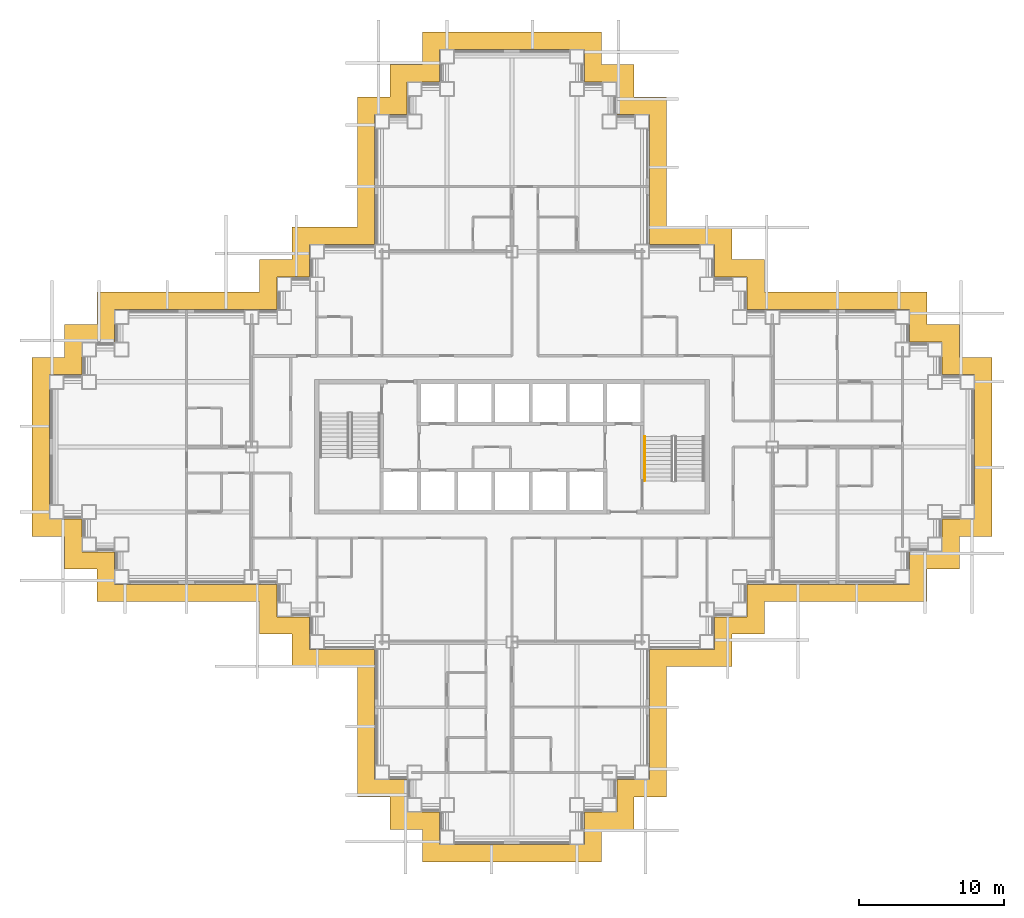
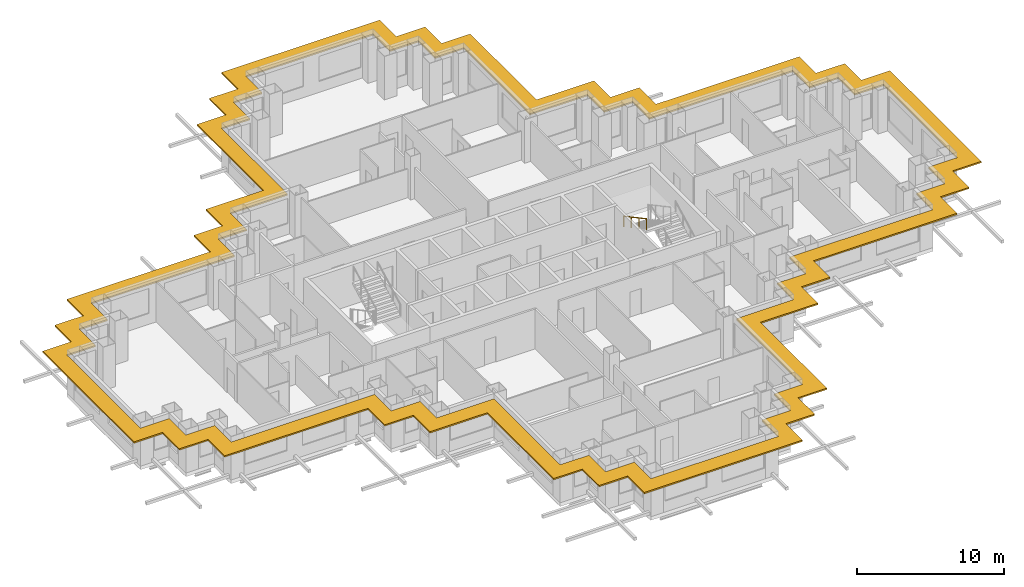
# One storey, part 14 of 15: 1 railing, 1 shading device.
"""IFC4 building model written with IfcOpenShell, lengths in metres."""

from ifc_helpers import new_model, si_unit, direction, frame, origin, origin_2d, place, context, subcontext, project, spatial, polyline, circle, outline, extrude, material, layer, layer_set, type_object, element, save


model = new_model("IFC4")

# Units and contexts
model_context = context("Model", 3, precision=1e-05, world=origin(), true_north=direction((0.0, 1.0)))
body_context = subcontext(model_context, "Body", "Model", "MODEL_VIEW")
ifc_project = project(units=[si_unit("LENGTHUNIT", "METRE"), si_unit("AREAUNIT", "SQUARE_METRE"), si_unit("VOLUMEUNIT", "CUBIC_METRE"), si_unit("PLANEANGLEUNIT", "RADIAN"), si_unit("MASSUNIT", "GRAM", prefix="KILO")], contexts=[model_context])

# Site, building, storey
site_placement = place(None, origin())
site = spatial("IfcSite", under=ifc_project, at=site_placement, CompositionType="ELEMENT")
building_placement = place(site_placement, origin())
building = spatial("IfcBuilding", under=site, at=building_placement, Name="Caravel Reach Hotel and Residences", CompositionType="ELEMENT")
storey_placement = place(building_placement, frame((0.0, 0.0, 60.0)))
storey = spatial("IfcBuildingStorey", under=building, at=storey_placement, Name="L13", CompositionType="ELEMENT", Elevation=60.0)

# Railing
ifc_material_1 = material(Name="Stainless steel handrail", Category="steel")
railing_type = type_object("IfcRailingType", Name="Handrail 900", PredefinedType="HANDRAIL", material=ifc_material_1)
railing_placement = place(storey_placement, frame((40.675048828125, 27.72998046875, 1.949951171875)))
element("IfcRailing", 1, at=railing_placement, inside=storey, type_object=railing_type, Name="L13 ST-B stair handrail 2", PredefinedType="HANDRAIL", context=body_context, shape_type="SweptSolid", body=[
    extrude(circle(Radius=0.02392578125, at=origin_2d()), frame((0.0, 0.0, 0.8759765625), z_axis=(0.0, -0.881467505477, 0.472244678941), x_axis=(1.0, 0.0, 0.0)), (0.0, 0.0, 1.0), 3.494140625),
    extrude(circle(Radius=0.02099609375, at=origin_2d()), origin(), (0.0, 0.0, 1.0), 0.851806640625),
    extrude(circle(Radius=0.02099609375, at=origin_2d()), frame((0.0, -1.026611328125, 0.550048828125)), (0.0, 0.0, 1.0), 0.851806640625),
    extrude(circle(Radius=0.02099609375, at=origin_2d()), frame((0.0, -2.053466796875, 1.10009765625)), (0.0, 0.0, 1.0), 0.851806640625),
    extrude(circle(Radius=0.02099609375, at=origin_2d()), frame((0.0, -3.080078125, 1.650146484375)), (0.0, 0.0, 1.0), 0.851806640625),
])

# Shading device
ifc_material_2 = material(Name="Black powder-coated aluminium", Category="aluminium")
ifc_layer = layer(ifc_material_2, 0.1201171875)
ifc_layer_set = layer_set([ifc_layer], Name="SS1 Sunshade band 1200")
shading_device_type = type_object("IfcShadingDeviceType", Name="SS1 Sunshade band 1200", PredefinedType="USERDEFINED", material=ifc_layer_set)
shading_device_placement = place(storey_placement, frame((0.0, 0.0, 3.0400390625)))
element("IfcShadingDevice", 2, at=shading_device_placement, inside=storey, type_object=shading_device_type, Name="Sunshade L13 1", ObjectType="SUNSHADE", PredefinedType="USERDEFINED", context=body_context, shape_type="SweptSolid", body=[
    extrude(outline(polyline([(20.800048828125, 11.800048828125), (20.800048828125, 2.800048828125), (23.050048828125, 2.800048828125), (23.050048828125, 0.550048828125), (25.300048828125, 0.550048828125), (25.300048828125, -1.699951171875), (37.699951171875, -1.699951171875), (37.699951171875, 0.550048828125), (39.949951171875, 0.550048828125), (39.949951171875, 2.800048828125), (42.199951171875, 2.800048828125), (42.199951171875, 11.800048828125), (46.699951171875, 11.800048828125), (46.699951171875, 14.050048828125), (48.949951171875, 14.050048828125), (48.949951171875, 16.300048828125), (60.199951171875, 16.300048828125), (60.199951171875, 18.550048828125), (62.449951171875, 18.550048828125), (62.449951171875, 20.800048828125), (64.699951171875, 20.800048828125), (64.699951171875, 33.199951171875), (62.449951171875, 33.199951171875), (62.449951171875, 35.449951171875), (60.199951171875, 35.449951171875), (60.199951171875, 37.699951171875), (48.949951171875, 37.699951171875), (48.949951171875, 39.949951171875), (46.699951171875, 39.949951171875), (46.699951171875, 42.199951171875), (42.199951171875, 42.199951171875), (42.199951171875, 51.199951171875), (39.949951171875, 51.199951171875), (39.949951171875, 53.449951171875), (37.699951171875, 53.449951171875), (37.699951171875, 55.699951171875), (25.300048828125, 55.699951171875), (25.300048828125, 53.449951171875), (23.050048828125, 53.449951171875), (23.050048828125, 51.199951171875), (20.800048828125, 51.199951171875), (20.800048828125, 42.199951171875), (16.300048828125, 42.199951171875), (16.300048828125, 39.949951171875), (14.050048828125, 39.949951171875), (14.050048828125, 37.699951171875), (2.800048828125, 37.699951171875), (2.800048828125, 35.449951171875), (0.550048828125, 35.449951171875), (0.550048828125, 33.199951171875), (-1.699951171875, 33.199951171875), (-1.699951171875, 20.800048828125), (0.550048828125, 20.800048828125), (0.550048828125, 18.550048828125), (2.800048828125, 18.550048828125), (2.800048828125, 16.300048828125), (14.050048828125, 16.300048828125), (14.050048828125, 14.050048828125), (16.300048828125, 14.050048828125), (16.300048828125, 11.800048828125), (20.800048828125, 11.800048828125)]), holes=[polyline([(24.25, 4.0), (22.0, 4.0), (22.0, 13.0), (17.5, 13.0), (17.5, 15.25), (15.25, 15.25), (15.25, 17.5), (4.0, 17.5), (4.0, 19.75), (1.75, 19.75), (1.75, 22.0), (-0.5, 22.0), (-0.5, 32.0), (1.75, 32.0), (1.75, 34.25), (4.0, 34.25), (4.0, 36.5), (15.25, 36.5), (15.25, 38.75), (17.5, 38.75), (17.5, 41.0), (22.0, 41.0), (22.0, 50.0), (24.25, 50.0), (24.25, 52.25), (26.5, 52.25), (26.5, 54.5), (36.5, 54.5), (36.5, 52.25), (38.75, 52.25), (38.75, 50.0), (41.0, 50.0), (41.0, 41.0), (45.5, 41.0), (45.5, 38.75), (47.75, 38.75), (47.75, 36.5), (59.0, 36.5), (59.0, 34.25), (61.25, 34.25), (61.25, 32.0), (63.5, 32.0), (63.5, 22.0), (61.25, 22.0), (61.25, 19.75), (59.0, 19.75), (59.0, 17.5), (47.75, 17.5), (47.75, 15.25), (45.5, 15.25), (45.5, 13.0), (41.0, 13.0), (41.0, 4.0), (38.75, 4.0), (38.75, 1.75), (36.5, 1.75), (36.5, -0.5), (26.5, -0.5), (26.5, 1.75), (24.25, 1.75), (24.25, 4.0)])]), origin(), (0.0, 0.0, 1.0), 0.119873046875),
])

save(model, "model.ifc")
